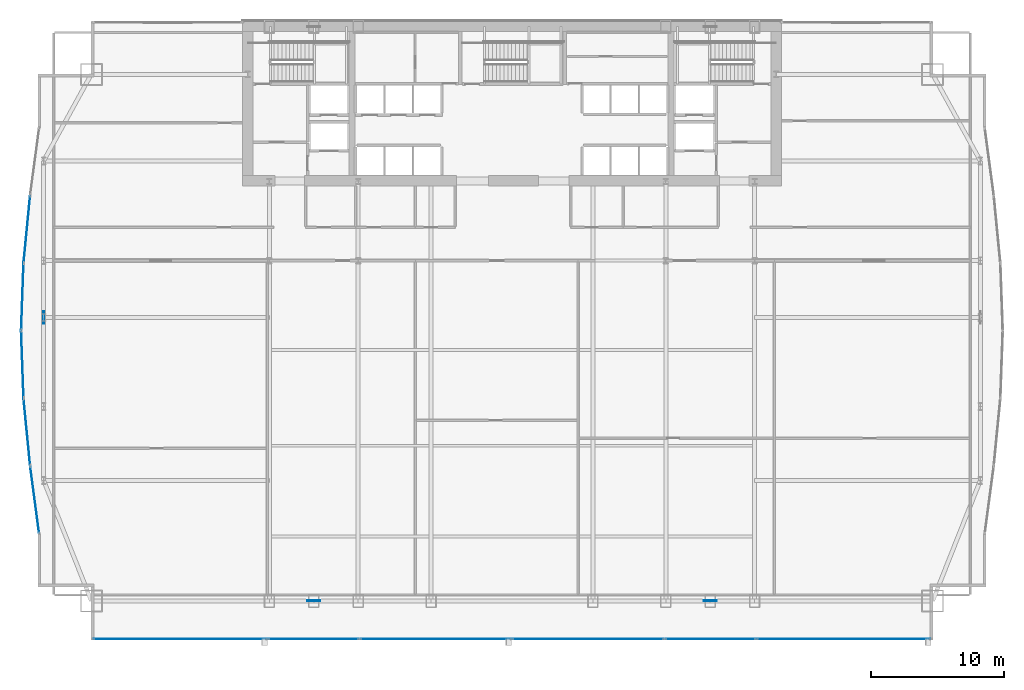
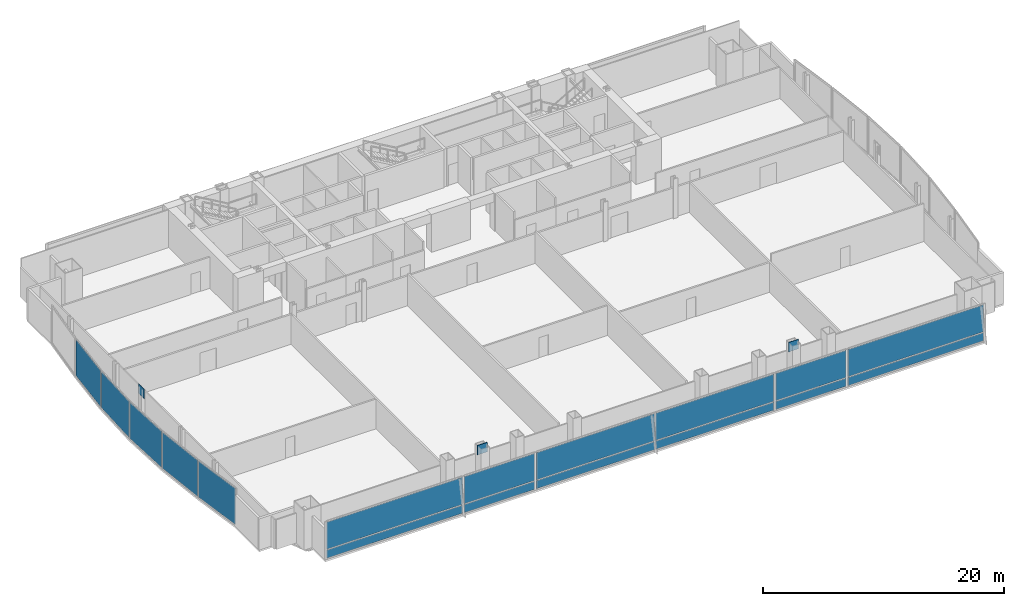
# One storey, part 25 of 35: 20 plates, 10 elements without a shape of their own.
"""IFC4 building model written with IfcOpenShell, lengths in metres."""

from ifc_helpers import new_model, si_unit, direction, frame, origin, origin_2d, place, context, subcontext, project, spatial, rectangle, extrude, material, layer, layer_set, type_object, element, aggregate, save


model = new_model("IFC4")

# Units and contexts
model_context = context("Model", 3, precision=1e-05, world=origin(), true_north=direction((0.0, 1.0)))
body_context = subcontext(model_context, "Body", "Model", "MODEL_VIEW")
ifc_project = project(units=[si_unit("LENGTHUNIT", "METRE"), si_unit("AREAUNIT", "SQUARE_METRE"), si_unit("VOLUMEUNIT", "CUBIC_METRE"), si_unit("PLANEANGLEUNIT", "RADIAN"), si_unit("MASSUNIT", "GRAM", prefix="KILO")], contexts=[model_context])

# Site, building, storey
site_placement = place(None, origin())
site = spatial("IfcSite", under=ifc_project, at=site_placement, CompositionType="ELEMENT")
building_placement = place(site_placement, origin())
building = spatial("IfcBuilding", under=site, at=building_placement, Name="Khoronbel Lancet Exchange", CompositionType="ELEMENT")
storey_placement = place(building_placement, frame((0.0, 0.0, 69.800048828125)))
storey = spatial("IfcBuildingStorey", under=building, at=storey_placement, Name="L16", CompositionType="ELEMENT", Elevation=69.800048828125)

# Curtain wall, plate
ifc_material_1 = material(Name="Low-E Solar Control Insulating Glass", Category="glass")
curtain_wall_type_1 = type_object("IfcCurtainWallType", Name="CW-4", PredefinedType="NOTDEFINED", material=ifc_material_1)
curtain_wall_1_placement = place(storey_placement, origin())
curtain_wall_1 = element("IfcCurtainWall", 1, at=curtain_wall_1_placement, inside=storey, type_object=curtain_wall_type_1, Name="Unitised curtain wall CW-L16-E05", PredefinedType="NOTDEFINED")
ifc_material_2 = material(Name="Bronze-Anodised Aluminium 6063-T6", Category="aluminium")
ifc_layer_1 = layer(ifc_material_2, 0.050048828125, Name="Bronze-Anodised Aluminium 6063-T6")
ifc_layer_set_1 = layer_set([ifc_layer_1], Name="Bronze-Anodised Aluminium 6063-T6")
plate_type_1 = type_object("IfcPlateType", Name="PLT-CSP1", PredefinedType="SHEET", material=ifc_layer_set_1)
plate_1_placement = place(storey_placement, frame((0.013916015625, 22.833251953125, 0.0849609375), z_axis=(0.0, 0.0, 1.0), x_axis=(-0.097134524689, 0.995271261573, 0.0)))
plate_1 = element("IfcPlate", 2, at=plate_1_placement, type_object=plate_type_1, Name="CW4 panel 1.1", PredefinedType="CURTAIN_PANEL", context=body_context, shape_type="SweptSolid", body=[
    extrude(rectangle(XDim=4.953125, YDim=0.0380859375, at=origin_2d()), origin(), (0.0, 0.0, 1.0), 3.64990234375),
])
aggregate(curtain_wall_1, [plate_1])

curtain_wall_2_placement = place(storey_placement, origin())
curtain_wall_2 = element("IfcCurtainWall", 3, at=curtain_wall_2_placement, inside=storey, type_object=curtain_wall_type_1, Name="Unitised curtain wall CW-L16-E06", PredefinedType="NOTDEFINED")
plate_2_placement = place(storey_placement, frame((-0.32470703125, 27.911376953125, 0.0849609375), z_axis=(0.0, 0.0, 1.0), x_axis=(-0.035685211912, 0.999363079992, 0.0)))
plate_2 = element("IfcPlate", 4, at=plate_2_placement, type_object=plate_type_1, Name="CW4 panel 1.1", PredefinedType="CURTAIN_PANEL", context=body_context, shape_type="SweptSolid", body=[
    extrude(rectangle(XDim=4.930419921875, YDim=0.0380859375, at=origin_2d()), origin(), (0.0, 0.0, 1.0), 3.64990234375),
])
aggregate(curtain_wall_2, [plate_2])

curtain_wall_3_placement = place(storey_placement, origin())
curtain_wall_3 = element("IfcCurtainWall", 5, at=curtain_wall_3_placement, inside=storey, type_object=curtain_wall_type_1, Name="Unitised curtain wall CW-L16-E07", PredefinedType="NOTDEFINED")
plate_3_placement = place(storey_placement, frame((-0.32470703125, 32.98876953125, 0.0849609375), z_axis=(0.0, 0.0, 1.0), x_axis=(0.035685211912, 0.999363079992, 0.0)))
plate_3 = element("IfcPlate", 6, at=plate_3_placement, type_object=plate_type_1, Name="CW4 panel 1.1", PredefinedType="CURTAIN_PANEL", context=body_context, shape_type="SweptSolid", body=[
    extrude(rectangle(XDim=4.930419921875, YDim=0.0380859375, at=origin_2d()), origin(), (0.0, 0.0, 1.0), 3.64990234375),
])
aggregate(curtain_wall_3, [plate_3])

curtain_wall_4_placement = place(storey_placement, origin())
curtain_wall_4 = element("IfcCurtainWall", 7, at=curtain_wall_4_placement, inside=storey, type_object=curtain_wall_type_1, Name="Unitised curtain wall CW-L16-E08", PredefinedType="NOTDEFINED")
plate_4_placement = place(storey_placement, frame((0.013916015625, 38.06689453125, 0.0849609375), z_axis=(0.0, 0.0, 1.0), x_axis=(0.097134524689, 0.995271261573, 0.0)))
plate_4 = element("IfcPlate", 8, at=plate_4_placement, type_object=plate_type_1, Name="CW4 panel 1.1", PredefinedType="CURTAIN_PANEL", context=body_context, shape_type="SweptSolid", body=[
    extrude(rectangle(XDim=4.953125, YDim=0.0380859375, at=origin_2d()), origin(), (0.0, 0.0, 1.0), 3.64990234375),
])
aggregate(curtain_wall_4, [plate_4])

# Curtain wall, plates
curtain_wall_type_2 = type_object("IfcCurtainWallType", Name="CW-1", PredefinedType="NOTDEFINED", material=ifc_material_1)
curtain_wall_5_placement = place(storey_placement, origin())
curtain_wall_5 = element("IfcCurtainWall", 9, at=curtain_wall_5_placement, inside=storey, type_object=curtain_wall_type_2, Name="Unitised curtain wall CW-L16-SWB", PredefinedType="NOTDEFINED")
plate_5_placement = place(storey_placement, frame((21.550048828125, 7.2900390625, 0.0849609375), z_axis=(0.0, 0.0, 1.0), x_axis=(1.0, 0.0, 0.0)))
plate_5 = element("IfcPlate", 10, at=plate_5_placement, type_object=plate_type_1, Name="CW1 panel 1.1", PredefinedType="CURTAIN_PANEL", context=body_context, shape_type="SweptSolid", body=[
    extrude(rectangle(XDim=6.72998046875, YDim=0.0380859375, at=origin_2d()), origin(), (0.0, 0.0, 1.0), 0.822509765625),
])
plate_6_placement = place(storey_placement, frame((21.550048828125, 7.2900390625, 0.99267578125), z_axis=(0.0, 0.0, 1.0), x_axis=(1.0, 0.0, 0.0)))
plate_6 = element("IfcPlate", 11, at=plate_6_placement, type_object=plate_type_1, Name="CW1 panel 1.2", PredefinedType="CURTAIN_PANEL", context=body_context, shape_type="SweptSolid", body=[
    extrude(rectangle(XDim=6.72998046875, YDim=0.0380859375, at=origin_2d()), origin(), (0.0, 0.0, 1.0), 2.742431640625),
])
aggregate(curtain_wall_5, [plate_5, plate_6])

curtain_wall_6_placement = place(storey_placement, origin())
curtain_wall_6 = element("IfcCurtainWall", 12, at=curtain_wall_6_placement, inside=storey, type_object=curtain_wall_type_2, Name="Unitised curtain wall CW-L16-SEB", PredefinedType="NOTDEFINED")
plate_7_placement = place(storey_placement, frame((51.35009765625, 7.2900390625, 0.0849609375), z_axis=(0.0, 0.0, 1.0), x_axis=(1.0, 0.0, 0.0)))
plate_7 = element("IfcPlate", 13, at=plate_7_placement, type_object=plate_type_1, Name="CW1 panel 1.1", PredefinedType="CURTAIN_PANEL", context=body_context, shape_type="SweptSolid", body=[
    extrude(rectangle(XDim=6.72998046875, YDim=0.0380859375, at=origin_2d()), origin(), (0.0, 0.0, 1.0), 0.822509765625),
])
plate_8_placement = place(storey_placement, frame((51.35009765625, 7.2900390625, 0.99267578125), z_axis=(0.0, 0.0, 1.0), x_axis=(1.0, 0.0, 0.0)))
plate_8 = element("IfcPlate", 14, at=plate_8_placement, type_object=plate_type_1, Name="CW1 panel 1.2", PredefinedType="CURTAIN_PANEL", context=body_context, shape_type="SweptSolid", body=[
    extrude(rectangle(XDim=6.72998046875, YDim=0.0380859375, at=origin_2d()), origin(), (0.0, 0.0, 1.0), 2.742431640625),
])
aggregate(curtain_wall_6, [plate_7, plate_8])

curtain_wall_7_placement = place(storey_placement, origin())
curtain_wall_7 = element("IfcCurtainWall", 15, at=curtain_wall_7_placement, inside=storey, type_object=curtain_wall_type_2, Name="Unitised curtain wall CW-L16-SWV", PredefinedType="NOTDEFINED")
ifc_layer_2 = layer(ifc_material_1, 0.035888671875, Name="Low-E Solar Control Insulating Glass")
ifc_layer_set_2 = layer_set([ifc_layer_2], Name="Low-E Solar Control Insulating Glass")
plate_type_2 = type_object("IfcPlateType", Name="PLT-CWP1", PredefinedType="CURTAIN_PANEL", material=ifc_layer_set_2)
plate_9_placement = place(storey_placement, frame((11.52001953125, 7.2900390625, 0.0849609375), z_axis=(0.0, 0.0, 1.0), x_axis=(1.0, 0.0, 0.0)))
plate_9 = element("IfcPlate", 16, at=plate_9_placement, type_object=plate_type_2, Name="CW1 panel 1.1", PredefinedType="CURTAIN_PANEL", context=body_context, shape_type="SweptSolid", body=[
    extrude(rectangle(XDim=12.989990234375, YDim=0.0380859375, at=origin_2d()), origin(), (0.0, 0.0, 1.0), 0.822509765625),
])
plate_10_placement = place(storey_placement, frame((11.52001953125, 7.2900390625, 0.99267578125), z_axis=(0.0, 0.0, 1.0), x_axis=(1.0, 0.0, 0.0)))
plate_10 = element("IfcPlate", 17, at=plate_10_placement, type_object=plate_type_2, Name="CW1 panel 1.2", PredefinedType="CURTAIN_PANEL", context=body_context, shape_type="SweptSolid", body=[
    extrude(rectangle(XDim=12.989990234375, YDim=0.0380859375, at=origin_2d()), origin(), (0.0, 0.0, 1.0), 2.742431640625),
])
aggregate(curtain_wall_7, [plate_9, plate_10])

curtain_wall_8_placement = place(storey_placement, origin())
curtain_wall_8 = element("IfcCurtainWall", 18, at=curtain_wall_8_placement, inside=storey, type_object=curtain_wall_type_2, Name="Unitised curtain wall CW-L16-SCV", PredefinedType="NOTDEFINED")
plate_11_placement = place(storey_placement, frame((30.746337890625, 7.2900390625, 0.0849609375), z_axis=(0.0, 0.0, 1.0), x_axis=(1.0, 0.0, 0.0)))
plate_11 = element("IfcPlate", 19, at=plate_11_placement, type_object=plate_type_2, Name="CW1 panel 1.1", PredefinedType="CURTAIN_PANEL", context=body_context, shape_type="SweptSolid", body=[
    extrude(rectangle(XDim=11.322509765625, YDim=0.0380859375, at=origin_2d()), origin(), (0.0, 0.0, 1.0), 0.822509765625),
])
plate_12_placement = place(storey_placement, frame((30.746337890625, 7.2900390625, 0.99267578125), z_axis=(0.0, 0.0, 1.0), x_axis=(1.0, 0.0, 0.0)))
plate_12 = element("IfcPlate", 20, at=plate_12_placement, type_object=plate_type_2, Name="CW1 panel 1.2", PredefinedType="CURTAIN_PANEL", context=body_context, shape_type="SweptSolid", body=[
    extrude(rectangle(XDim=11.322509765625, YDim=0.0380859375, at=origin_2d()), origin(), (0.0, 0.0, 1.0), 2.742431640625),
])
plate_13_placement = place(storey_placement, frame((42.15380859375, 7.2900390625, 0.0849609375), z_axis=(0.0, 0.0, 1.0), x_axis=(1.0, 0.0, 0.0)))
plate_13 = element("IfcPlate", 21, at=plate_13_placement, type_object=plate_type_2, Name="CW1 panel 2.1", PredefinedType="CURTAIN_PANEL", context=body_context, shape_type="SweptSolid", body=[
    extrude(rectangle(XDim=11.322509765625, YDim=0.0380859375, at=origin_2d()), origin(), (0.0, 0.0, 1.0), 0.822509765625),
])
plate_14_placement = place(storey_placement, frame((42.15380859375, 7.2900390625, 0.99267578125), z_axis=(0.0, 0.0, 1.0), x_axis=(1.0, 0.0, 0.0)))
plate_14 = element("IfcPlate", 22, at=plate_14_placement, type_object=plate_type_2, Name="CW1 panel 2.2", PredefinedType="CURTAIN_PANEL", context=body_context, shape_type="SweptSolid", body=[
    extrude(rectangle(XDim=11.322509765625, YDim=0.0380859375, at=origin_2d()), origin(), (0.0, 0.0, 1.0), 2.742431640625),
])
aggregate(curtain_wall_8, [plate_11, plate_12, plate_13, plate_14])

curtain_wall_9_placement = place(storey_placement, origin())
curtain_wall_9 = element("IfcCurtainWall", 23, at=curtain_wall_9_placement, inside=storey, type_object=curtain_wall_type_2, Name="Unitised curtain wall CW-L16-SEV", PredefinedType="NOTDEFINED")
plate_15_placement = place(storey_placement, frame((61.3798828125, 7.2900390625, 0.0849609375), z_axis=(0.0, 0.0, 1.0), x_axis=(1.0, 0.0, 0.0)))
plate_15 = element("IfcPlate", 24, at=plate_15_placement, type_object=plate_type_2, Name="CW1 panel 1.1", PredefinedType="CURTAIN_PANEL", context=body_context, shape_type="SweptSolid", body=[
    extrude(rectangle(XDim=12.989990234375, YDim=0.0380859375, at=origin_2d()), origin(), (0.0, 0.0, 1.0), 0.822509765625),
])
plate_16_placement = place(storey_placement, frame((61.3798828125, 7.2900390625, 0.99267578125), z_axis=(0.0, 0.0, 1.0), x_axis=(1.0, 0.0, 0.0)))
plate_16 = element("IfcPlate", 25, at=plate_16_placement, type_object=plate_type_2, Name="CW1 panel 1.2", PredefinedType="CURTAIN_PANEL", context=body_context, shape_type="SweptSolid", body=[
    extrude(rectangle(XDim=12.989990234375, YDim=0.0380859375, at=origin_2d()), origin(), (0.0, 0.0, 1.0), 2.742431640625),
])
aggregate(curtain_wall_9, [plate_15, plate_16])

# Curtain wall, plate
curtain_wall_10_placement = place(storey_placement, origin())
curtain_wall_10 = element("IfcCurtainWall", 26, at=curtain_wall_10_placement, inside=storey, type_object=curtain_wall_type_1, Name="Unitised curtain wall CW-L16-E04", PredefinedType="NOTDEFINED")
ifc_material_3 = material(Name="Ceramic-Fritted Laminated Insulating Glass", Category="glass")
ifc_layer_3 = layer(ifc_material_3, 0.0419921875, Name="Ceramic-Fritted Laminated Insulating Glass")
ifc_layer_set_3 = layer_set([ifc_layer_3], Name="Ceramic-Fritted Laminated Insulating Glass")
plate_type_3 = type_object("IfcPlateType", Name="PLT-CWP2", PredefinedType="CURTAIN_PANEL", material=ifc_layer_set_3)
plate_17_placement = place(storey_placement, frame((0.600830078125, 17.749755859375, 0.0849609375), z_axis=(0.0, 0.0, 1.0), x_axis=(-0.132154786724, 0.991229091757, 0.0)))
plate_17 = element("IfcPlate", 27, at=plate_17_placement, type_object=plate_type_3, Name="CW4 panel 1.1", PredefinedType="CURTAIN_PANEL", context=body_context, shape_type="SweptSolid", body=[
    extrude(rectangle(XDim=4.982666015625, YDim=0.0380859375, at=origin_2d()), origin(), (0.0, 0.0, 1.0), 3.64990234375),
])
aggregate(curtain_wall_10, [plate_17])

# Plates
ifc_material_4 = material(Name="Steel S460", Category="steel")
ifc_layer_4 = layer(ifc_material_4, 0.06005859375, Name="Steel S460")
ifc_layer_set_4 = layer_set([ifc_layer_4], Name="Steel S460")
plate_type_4 = type_object("IfcPlateType", Name="PLT-ND1", PredefinedType="USERDEFINED", material=ifc_layer_set_4)
for number, where, z_axis, x_axis, name in (
    (28, (21.5625, 10.14990234375, 3.1748046875), (0.0, 0.0, 1.0), (1.0, 0.0, 0.0), "ND1 perimeter brace node gusset T04-S-W"),
    (29, (51.33740234375, 10.14990234375, 3.1748046875), (0.0, 0.0, 1.0), (1.0, 0.0, 0.0), "ND1 perimeter brace node gusset T04-S-E"),
    (30, (1.27001953125, 31.425048828125, 3.1748046875), (0.0, 0.0, 1.0), (0.0, 1.0, 0.0), "ND1 perimeter brace node gusset T04-W-P"),
):
    element("IfcPlate", number, at=place(storey_placement, frame(where, z_axis=z_axis, x_axis=x_axis)), inside=storey, type_object=plate_type_4, Name=name, ObjectType="GUSSET_PLATE", PredefinedType="USERDEFINED", context=body_context, shape_type="SweptSolid", body=[
        extrude(rectangle(XDim=0.949951171875, YDim=0.06005859375, at=origin_2d()), origin(), (0.0, 0.0, 1.0), 0.949951171875),
    ])

save(model, "model.ifc")
